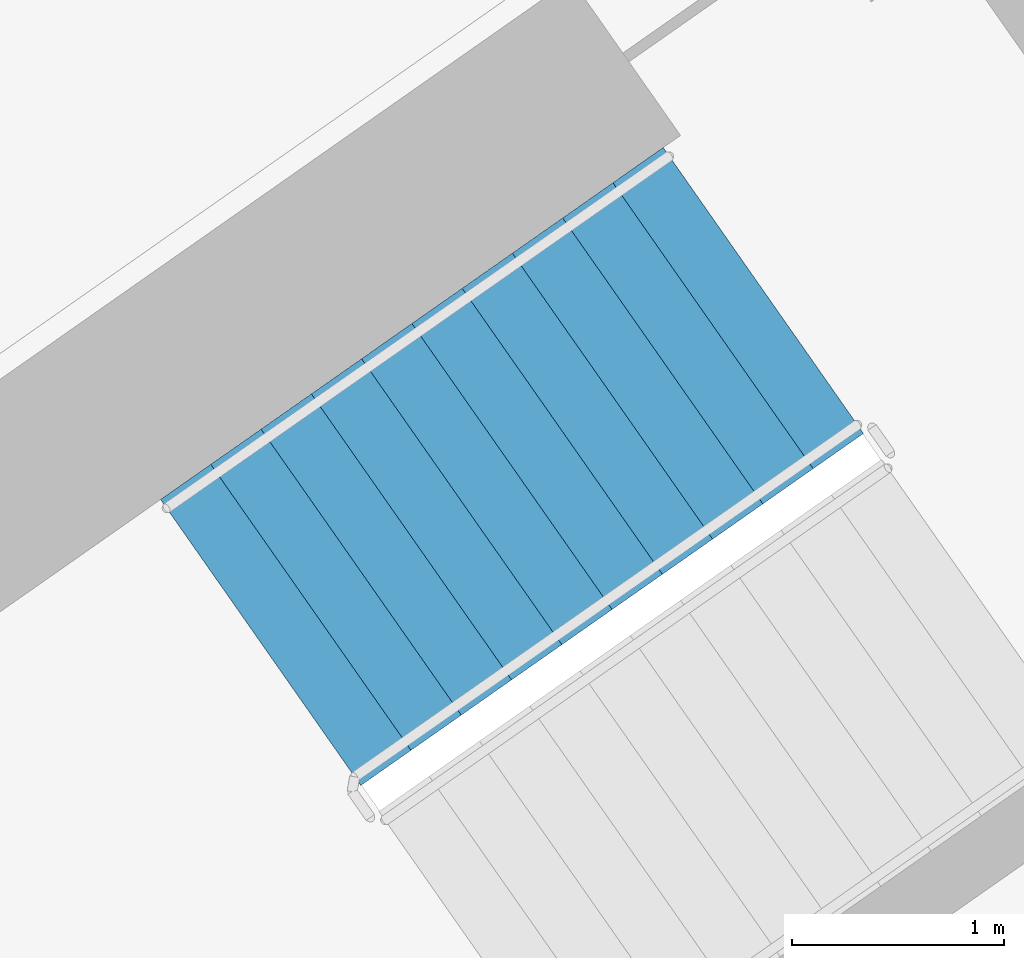
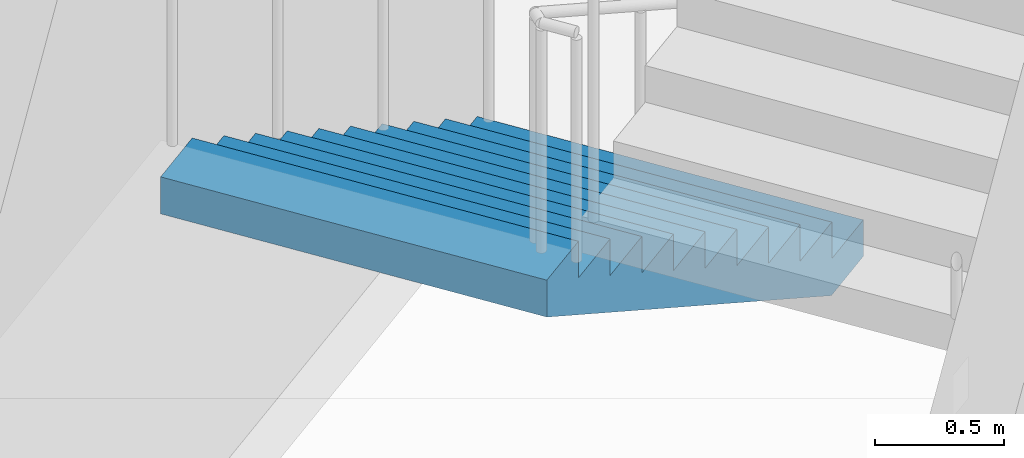
# One storey, part 15 of 29: 1 stair flight, 1 element without a shape of its own.
"""IFC4 building model written with IfcOpenShell, lengths in metres."""

import ifcopenshell
import ifcopenshell.guid

model = None  # the IFC model being written
_history = None  # IfcOwnerHistory: only IFC2X3 demands one
_inside = {}  # id of a spatial element -> (the spatial element, [elements in it])
_under = {}  # id of a project, library or spatial element -> (it, [spatial elements below it])
_declared = {}  # id of a project -> (the project, [libraries it declares])
_typed = {}  # id of a type object -> (the type object, [elements of that type])
_made_of = {}  # id of a material, layer set ... -> (it, [elements and type objects made of it])


def new_model(schema):
    """Start an empty IFC model of exactly this schema.

    Asked for "IFC4X3", IfcOpenShell would pick the latest addendum, in which some entities
    have other attributes; the version numbers below select the first issue.
    IFC2X3 requires an IfcOwnerHistory on every rooted entity: one is made here for all.
    """
    global model, _history
    if schema == "IFC4X3":
        model = ifcopenshell.file(schema_version=(4, 3, 0, 0))
    else:
        model = ifcopenshell.file(schema=schema)
    _inside.clear()
    _under.clear()
    _declared.clear()
    _typed.clear()
    _made_of.clear()
    _history = None
    if model.schema == "IFC2X3":
        org = make("IfcOrganization", Name="unknown")
        user = make(
            "IfcPersonAndOrganization",
            ThePerson=make("IfcPerson", FamilyName="unknown"),
            TheOrganization=org,
        )
        app = make(
            "IfcApplication",
            ApplicationDeveloper=org,
            Version="unknown",
            ApplicationFullName="unknown",
            ApplicationIdentifier="unknown",
        )
        _history = make(
            "IfcOwnerHistory",
            OwningUser=user,
            OwningApplication=app,
            ChangeAction="ADDED",
            CreationDate=0,
        )
    return model


def make(cls, **values):
    """One entity of the class cls with the attributes given. An attribute that is None is left unset."""
    return model.create_entity(
        cls, **{name: value for name, value in values.items() if value is not None}
    )


def rooted(cls, **values):
    """An entity with a GlobalId (a new one), such as an element, a storey or a relation."""
    return make(cls, GlobalId=ifcopenshell.guid.new(), OwnerHistory=_history, **values)


def si_unit(unit_type, name, prefix=None):
    """IfcSIUnit, for example si_unit("LENGTHUNIT", "METRE", prefix="MILLI")."""
    return make("IfcSIUnit", UnitType=unit_type, Prefix=prefix, Name=name)


def assignment(units):
    """IfcUnitAssignment: the units of a project."""
    return None if units is None else make("IfcUnitAssignment", Units=units)


def point(xyz):
    """IfcCartesianPoint."""
    return None if xyz is None else make("IfcCartesianPoint", Coordinates=xyz)


def direction(xyz):
    """IfcDirection."""
    return None if xyz is None else make("IfcDirection", DirectionRatios=xyz)


def frame(location, z_axis=None, x_axis=None):
    """IfcAxis2Placement3D, a coordinate frame: its origin and axes. An axis left out is left unset."""
    return make(
        "IfcAxis2Placement3D",
        Location=point(location),
        Axis=direction(z_axis),
        RefDirection=direction(x_axis),
    )


def origin():
    """The frame at (0, 0, 0) with its axes left unset."""
    return frame((0.0, 0.0, 0.0))


def place(relative_to, where):
    """IfcLocalPlacement: puts the frame where relative to a parent placement (None: the world)."""
    return make(
        "IfcLocalPlacement", PlacementRelTo=relative_to, RelativePlacement=where
    )


def context(
    kind, dimensions, precision=None, world=None, true_north=None, identifier=None
):
    """IfcGeometricRepresentationContext, for example the 3D "Model" context."""
    return make(
        "IfcGeometricRepresentationContext",
        ContextIdentifier=identifier,
        ContextType=kind,
        CoordinateSpaceDimension=dimensions,
        Precision=precision,
        WorldCoordinateSystem=world,
        TrueNorth=true_north,
    )


def subcontext(parent, identifier, kind, view, scale=None):
    """IfcGeometricRepresentationSubContext, for example "Body" below "Model"."""
    return make(
        "IfcGeometricRepresentationSubContext",
        ContextIdentifier=identifier,
        ContextType=kind,
        ParentContext=parent,
        TargetScale=scale,
        TargetView=view,
    )


def project(units=None, contexts=None):
    """IfcProject with its units and contexts."""
    return rooted(
        "IfcProject",
        Name="project",
        RepresentationContexts=contexts,
        UnitsInContext=assignment(units),
    )


def spatial(cls, under=None, at=None, **own):
    """A site, building, storey or space (cls), placed at a placement, below another one or the project."""
    s = rooted(cls, ObjectPlacement=at, **own)
    if under is not None:
        _under.setdefault(under.id(), (under, []))[1].append(s)
    return s


def faces_of(points, faces, orient=None, outer=None):
    """IfcFace entities. A face is a list of loops; a loop is a list of indices into points, from 0.

    orient and outer hold one flag for each loop. By default every Orientation is true, the
    first loop of a face is its IfcFaceOuterBound and the others are IfcFaceBound.
    """
    made = []
    for i, loops in enumerate(faces):
        bounds = []
        for j, loop in enumerate(loops):
            is_outer = j == 0 if outer is None else outer[i][j]
            bounds.append(
                make(
                    "IfcFaceOuterBound" if is_outer else "IfcFaceBound",
                    Bound=make("IfcPolyLoop", Polygon=[points[k] for k in loop]),
                    Orientation=True if orient is None else orient[i][j],
                )
            )
        made.append(make("IfcFace", Bounds=bounds))
    return made


def faceted_brep(points, faces, orient=None, outer=None, voids=None):
    """IfcFacetedBrep: a solid bounded by flat faces; with voids (closed shells), ...WithVoids."""
    shared = [point(p) for p in points]
    hull = make("IfcClosedShell", CfsFaces=faces_of(shared, faces, orient, outer))
    if voids is None:
        return make("IfcFacetedBrep", Outer=hull)
    return make(
        "IfcFacetedBrepWithVoids",
        Outer=hull,
        Voids=[
            make(cls, CfsFaces=faces_of(shared, fs, o, b)) for cls, fs, o, b in voids
        ],
    )


def shape(context_of_items, identifier, shape_type, items):
    """IfcShapeRepresentation: the items that make up one representation, for example the "Body"."""
    return make(
        "IfcShapeRepresentation",
        ContextOfItems=context_of_items,
        RepresentationIdentifier=identifier,
        RepresentationType=shape_type,
        Items=items,
    )


def material(Name=None, Category=None):
    """IfcMaterial."""
    return make("IfcMaterial", Name=Name, Category=Category)


def made_of(thing, what):
    """Note that an element or type object is made of a material, layer set ...; save() writes the relation."""
    if what is not None:
        _made_of.setdefault(what.id(), (what, []))[1].append(thing)
    return thing


def type_object(cls, material=None, **own):
    """A type object (cls), such as IfcWallType, which elements share."""
    return made_of(rooted(cls, **own), material)


def element(
    cls,
    number,
    at=None,
    inside=None,
    cuts=None,
    type_object=None,
    material=None,
    context=None,
    identifier="Body",
    shape_type=None,
    held_by="IfcProductDefinitionShape",
    body=None,
    shapes=None,
    **own,
):
    """One element of the class cls, such as IfcWall. Its Tag is "e" and its number.

    at: its placement. inside: the storey or other place that contains it. cuts: it is an
    opening in that element (IfcRelVoidsElement). A single representation is given by context,
    identifier, shape_type and body (its items); several are given by shapes. held_by: the class
    of the entity that holds the representations. save() writes the other relations.
    """
    e = rooted(cls, Tag="e%d" % number, ObjectPlacement=at, **own)
    if body is not None:
        shapes = [shape(context, identifier, shape_type, body)]
    if shapes is not None:
        e.Representation = make(held_by, Representations=shapes)
    if inside is not None:
        _inside.setdefault(inside.id(), (inside, []))[1].append(e)
    if cuts is not None:
        rooted(
            "IfcRelVoidsElement", RelatingBuildingElement=cuts, RelatedOpeningElement=e
        )
    if type_object is not None:
        _typed.setdefault(type_object.id(), (type_object, []))[1].append(e)
    return made_of(e, material)


def aggregate(whole, parts):
    """IfcRelAggregates: a whole, such as a stair, and the parts it consists of."""
    return rooted("IfcRelAggregates", RelatingObject=whole, RelatedObjects=parts)


def save(model, path):
    """Write the relations noted so far, then the file.

    IfcRelAggregates (storeys below a building ...), IfcRelContainedInSpatialStructure (elements
    in a storey), IfcRelDefinesByType, IfcRelAssociatesMaterial and IfcRelDeclares: one each for
    every whole, place, type object, material and project.
    """
    for whole, parts in _under.values():
        aggregate(whole, parts)
    for where, things in _inside.values():
        rooted(
            "IfcRelContainedInSpatialStructure",
            RelatedElements=things,
            RelatingStructure=where,
        )
    for kind, things in _typed.values():
        rooted("IfcRelDefinesByType", RelatedObjects=things, RelatingType=kind)
    for what, things in _made_of.values():
        rooted("IfcRelAssociatesMaterial", RelatedObjects=things, RelatingMaterial=what)
    for by, libraries in _declared.values():
        rooted("IfcRelDeclares", RelatingContext=by, RelatedDefinitions=libraries)
    model.write(path)


model = new_model("IFC4")

# Units and contexts
model_context = context("Model", 3, precision=1e-05, world=origin(), true_north=direction((0.0, 1.0)))
body_context = subcontext(model_context, "Body", "Model", "MODEL_VIEW")
ifc_project = project(units=[si_unit("LENGTHUNIT", "METRE"), si_unit("AREAUNIT", "SQUARE_METRE"), si_unit("VOLUMEUNIT", "CUBIC_METRE"), si_unit("PLANEANGLEUNIT", "RADIAN"), si_unit("MASSUNIT", "GRAM", prefix="KILO")], contexts=[model_context])

# Site, building, storey
site_placement = place(None, origin())
site = spatial("IfcSite", under=ifc_project, at=site_placement, CompositionType="ELEMENT")
building_placement = place(site_placement, origin())
building = spatial("IfcBuilding", under=site, at=building_placement, Name="Qamariyya Broadcast Tower", CompositionType="ELEMENT")
storey_placement = place(building_placement, frame((0.0, 0.0, 129.10009765625)))
storey = spatial("IfcBuildingStorey", under=building, at=storey_placement, Name="L29", CompositionType="ELEMENT", Elevation=129.10009765625)

# Stair, stair flight
ifc_material = material(Name="Concrete C50/60", Category="concrete")
stair_type = type_object("IfcStairType", Name="Exit stair 22 risers of 173 mm", PredefinedType="HALF_TURN_STAIR", material=ifc_material)
stair_placement = place(storey_placement, origin())
stair = element("IfcStair", 1, at=stair_placement, inside=storey, type_object=stair_type, Name="L29 Stair E2", PredefinedType="HALF_TURN_STAIR")
stair_flight_type = type_object("IfcStairFlightType", Name="Exit stair flight 11 risers of 173 mm", PredefinedType="STRAIGHT", material=ifc_material)
stair_flight_placement = place(storey_placement, frame((40.558837890625, -47.685302734375, 0.0), z_axis=(0.0, 0.0, 1.0), x_axis=(-0.819152044289, -0.573576436351, 0.0)))
stair_flight = element("IfcStairFlight", 2, at=stair_flight_placement, type_object=stair_flight_type, Name="ST-E2 flight 1", NumberOfRisers=11, NumberOfTreads=10, PredefinedType="STRAIGHT", RiserHeight=0.172727273, TreadLength=0.29, context=body_context, shape_type="Brep", body=[
    faceted_brep([(0.0, 0.824951171875, 0.0), (0.0, 0.824951171875, 0.172607421875), (0.2900390625, 0.824951171875, 0.172607421875), (0.2900390625, 0.824951171875, 0.345458984375), (0.580078125, 0.824951171875, 0.345458984375), (0.580078125, 0.824951171875, 0.51806640625), (0.8701171875, 0.824951171875, 0.51806640625), (0.8701171875, 0.824951171875, 0.69091796875), (1.159912109375, 0.824951171875, 0.69091796875), (1.159912109375, 0.824951171875, 0.863525390625), (1.449951171875, 0.824951171875, 0.863525390625), (1.449951171875, 0.824951171875, 1.036376953125), (1.739990234375, 0.824951171875, 1.036376953125), (1.739990234375, 0.824951171875, 1.208984375), (2.030029296875, 0.824951171875, 1.208984375), (2.030029296875, 0.824951171875, 1.3818359375), (2.320068359375, 0.824951171875, 1.3818359375), (2.320068359375, 0.824951171875, 1.554443359375), (2.610107421875, 0.824951171875, 1.554443359375), (2.610107421875, 0.824951171875, 1.727294921875), (2.89990234375, 0.824951171875, 1.727294921875), (2.89990234375, 0.824951171875, 1.552734375), (0.29296875, 0.824951171875, 0.0), (0.29296875, -0.824951171875, 0.0), (2.89990234375, -0.824951171875, 1.552734375), (2.89990234375, -0.824951171875, 1.727294921875), (2.610107421875, -0.824951171875, 1.727294921875), (2.610107421875, -0.824951171875, 1.554443359375), (2.320068359375, -0.824951171875, 1.554443359375), (2.320068359375, -0.824951171875, 1.3818359375), (2.030029296875, -0.824951171875, 1.3818359375), (2.030029296875, -0.824951171875, 1.208984375), (1.739990234375, -0.824951171875, 1.208984375), (1.739990234375, -0.824951171875, 1.036376953125), (1.449951171875, -0.824951171875, 1.036376953125), (1.449951171875, -0.824951171875, 0.863525390625), (1.159912109375, -0.824951171875, 0.863525390625), (1.159912109375, -0.824951171875, 0.69091796875), (0.8701171875, -0.824951171875, 0.69091796875), (0.8701171875, -0.824951171875, 0.51806640625), (0.580078125, -0.824951171875, 0.51806640625), (0.580078125, -0.824951171875, 0.345458984375), (0.2900390625, -0.824951171875, 0.345458984375), (0.2900390625, -0.824951171875, 0.172607421875), (0.0, -0.824951171875, 0.172607421875), (0.0, -0.824951171875, 0.0), (0.0, 0.10009765625, 0.0), (0.0, 0.086669921875, 0.0), (0.0, 0.0732421875, 0.0), (0.0, 0.06005859375, 0.0), (0.0, 0.046630859375, 0.0), (0.0, 0.033447265625, 0.0), (0.0, 0.02001953125, 0.0), (0.0, 0.006591796875, 0.0), (0.0, -0.006591796875, 0.0), (0.0, -0.02001953125, 0.0), (0.0, -0.033447265625, 0.0), (0.0, -0.046630859375, 0.0), (0.0, -0.06005859375, 0.0), (0.0, -0.0732421875, 0.0), (0.0, -0.086669921875, 0.0), (0.0, -0.10009765625, 0.0), (0.0, -0.10009765625, 0.172607421875), (0.0, -0.086669921875, 0.172607421875), (0.0, -0.0732421875, 0.172607421875), (0.0, -0.06005859375, 0.172607421875), (0.0, -0.046630859375, 0.172607421875), (0.0, -0.033447265625, 0.172607421875), (0.0, -0.02001953125, 0.172607421875), (0.0, -0.006591796875, 0.172607421875), (0.0, 0.006591796875, 0.172607421875), (0.0, 0.02001953125, 0.172607421875), (0.0, 0.033447265625, 0.172607421875), (0.0, 0.046630859375, 0.172607421875), (0.0, 0.06005859375, 0.172607421875), (0.0, 0.0732421875, 0.172607421875), (0.0, 0.086669921875, 0.172607421875), (0.0, 0.10009765625, 0.172607421875), (0.2900390625, -0.10009765625, 0.172607421875), (0.2900390625, -0.086669921875, 0.172607421875), (0.2900390625, -0.0732421875, 0.172607421875), (0.2900390625, -0.06005859375, 0.172607421875), (0.2900390625, -0.046630859375, 0.172607421875), (0.2900390625, -0.033447265625, 0.172607421875), (0.2900390625, -0.02001953125, 0.172607421875), (0.2900390625, -0.006591796875, 0.172607421875), (0.2900390625, 0.006591796875, 0.172607421875), (0.2900390625, 0.02001953125, 0.172607421875), (0.2900390625, 0.033447265625, 0.172607421875), (0.2900390625, 0.046630859375, 0.172607421875), (0.2900390625, 0.06005859375, 0.172607421875), (0.2900390625, 0.0732421875, 0.172607421875), (0.2900390625, 0.086669921875, 0.172607421875), (0.2900390625, 0.10009765625, 0.172607421875), (0.2900390625, -0.10009765625, 0.345458984375), (0.2900390625, -0.086669921875, 0.345458984375), (0.2900390625, -0.0732421875, 0.345458984375), (0.2900390625, -0.06005859375, 0.345458984375), (0.2900390625, -0.046630859375, 0.345458984375), (0.2900390625, -0.033447265625, 0.345458984375), (0.2900390625, -0.02001953125, 0.345458984375), (0.2900390625, -0.006591796875, 0.345458984375), (0.2900390625, 0.006591796875, 0.345458984375), (0.2900390625, 0.02001953125, 0.345458984375), (0.2900390625, 0.033447265625, 0.345458984375), (0.2900390625, 0.046630859375, 0.345458984375), (0.2900390625, 0.06005859375, 0.345458984375), (0.2900390625, 0.0732421875, 0.345458984375), (0.2900390625, 0.086669921875, 0.345458984375), (0.2900390625, 0.10009765625, 0.345458984375), (0.580078125, -0.10009765625, 0.345458984375), (0.580078125, -0.086669921875, 0.345458984375), (0.580078125, -0.0732421875, 0.345458984375), (0.580078125, -0.06005859375, 0.345458984375), (0.580078125, -0.046630859375, 0.345458984375), (0.580078125, -0.033447265625, 0.345458984375), (0.580078125, -0.02001953125, 0.345458984375), (0.580078125, -0.006591796875, 0.345458984375), (0.580078125, 0.006591796875, 0.345458984375), (0.580078125, 0.02001953125, 0.345458984375), (0.580078125, 0.033447265625, 0.345458984375), (0.580078125, 0.046630859375, 0.345458984375), (0.580078125, 0.06005859375, 0.345458984375), (0.580078125, 0.0732421875, 0.345458984375), (0.580078125, 0.086669921875, 0.345458984375), (0.580078125, 0.10009765625, 0.345458984375), (0.580078125, -0.10009765625, 0.51806640625), (0.580078125, -0.086669921875, 0.51806640625), (0.580078125, -0.0732421875, 0.51806640625), (0.580078125, -0.06005859375, 0.51806640625), (0.580078125, -0.046630859375, 0.51806640625), (0.580078125, -0.033447265625, 0.51806640625), (0.580078125, -0.02001953125, 0.51806640625), (0.580078125, -0.006591796875, 0.51806640625), (0.580078125, 0.006591796875, 0.51806640625), (0.580078125, 0.02001953125, 0.51806640625), (0.580078125, 0.033447265625, 0.51806640625), (0.580078125, 0.046630859375, 0.51806640625), (0.580078125, 0.06005859375, 0.51806640625), (0.580078125, 0.0732421875, 0.51806640625), (0.580078125, 0.086669921875, 0.51806640625), (0.580078125, 0.10009765625, 0.51806640625), (0.8701171875, -0.10009765625, 0.51806640625), (0.8701171875, -0.086669921875, 0.51806640625), (0.8701171875, -0.0732421875, 0.51806640625), (0.8701171875, -0.06005859375, 0.51806640625), (0.8701171875, -0.046630859375, 0.51806640625), (0.8701171875, -0.033447265625, 0.51806640625), (0.8701171875, -0.02001953125, 0.51806640625), (0.8701171875, -0.006591796875, 0.51806640625), (0.8701171875, 0.006591796875, 0.51806640625), (0.8701171875, 0.02001953125, 0.51806640625), (0.8701171875, 0.033447265625, 0.51806640625), (0.8701171875, 0.046630859375, 0.51806640625), (0.8701171875, 0.06005859375, 0.51806640625), (0.8701171875, 0.0732421875, 0.51806640625), (0.8701171875, 0.086669921875, 0.51806640625), (0.8701171875, 0.10009765625, 0.51806640625), (0.8701171875, -0.10009765625, 0.69091796875), (0.8701171875, -0.086669921875, 0.69091796875), (0.8701171875, -0.0732421875, 0.69091796875), (0.8701171875, -0.06005859375, 0.69091796875), (0.8701171875, -0.046630859375, 0.69091796875), (0.8701171875, -0.033447265625, 0.69091796875), (0.8701171875, -0.02001953125, 0.69091796875), (0.8701171875, -0.006591796875, 0.69091796875), (0.8701171875, 0.006591796875, 0.69091796875), (0.8701171875, 0.02001953125, 0.69091796875), (0.8701171875, 0.033447265625, 0.69091796875), (0.8701171875, 0.046630859375, 0.69091796875), (0.8701171875, 0.06005859375, 0.69091796875), (0.8701171875, 0.0732421875, 0.69091796875), (0.8701171875, 0.086669921875, 0.69091796875), (0.8701171875, 0.10009765625, 0.69091796875), (1.159912109375, -0.10009765625, 0.69091796875), (1.159912109375, -0.086669921875, 0.69091796875), (1.159912109375, -0.0732421875, 0.69091796875), (1.159912109375, -0.06005859375, 0.69091796875), (1.159912109375, -0.046630859375, 0.69091796875), (1.159912109375, -0.033447265625, 0.69091796875), (1.159912109375, -0.02001953125, 0.69091796875), (1.159912109375, -0.006591796875, 0.69091796875), (1.159912109375, 0.006591796875, 0.69091796875), (1.159912109375, 0.02001953125, 0.69091796875), (1.159912109375, 0.033447265625, 0.69091796875), (1.159912109375, 0.046630859375, 0.69091796875), (1.159912109375, 0.06005859375, 0.69091796875), (1.159912109375, 0.0732421875, 0.69091796875), (1.159912109375, 0.086669921875, 0.69091796875), (1.159912109375, 0.10009765625, 0.69091796875), (1.159912109375, -0.10009765625, 0.863525390625), (1.159912109375, -0.086669921875, 0.863525390625), (1.159912109375, -0.0732421875, 0.863525390625), (1.159912109375, -0.06005859375, 0.863525390625), (1.159912109375, -0.046630859375, 0.863525390625), (1.159912109375, -0.033447265625, 0.863525390625), (1.159912109375, -0.02001953125, 0.863525390625), (1.159912109375, -0.006591796875, 0.863525390625), (1.159912109375, 0.006591796875, 0.863525390625), (1.159912109375, 0.02001953125, 0.863525390625), (1.159912109375, 0.033447265625, 0.863525390625), (1.159912109375, 0.046630859375, 0.863525390625), (1.159912109375, 0.06005859375, 0.863525390625), (1.159912109375, 0.0732421875, 0.863525390625), (1.159912109375, 0.086669921875, 0.863525390625), (1.159912109375, 0.10009765625, 0.863525390625), (1.449951171875, -0.10009765625, 0.863525390625), (1.449951171875, -0.086669921875, 0.863525390625), (1.449951171875, -0.0732421875, 0.863525390625), (1.449951171875, -0.06005859375, 0.863525390625), (1.449951171875, -0.046630859375, 0.863525390625), (1.449951171875, -0.033447265625, 0.863525390625), (1.449951171875, -0.02001953125, 0.863525390625), (1.449951171875, -0.006591796875, 0.863525390625), (1.449951171875, 0.006591796875, 0.863525390625), (1.449951171875, 0.02001953125, 0.863525390625), (1.449951171875, 0.033447265625, 0.863525390625), (1.449951171875, 0.046630859375, 0.863525390625), (1.449951171875, 0.06005859375, 0.863525390625), (1.449951171875, 0.0732421875, 0.863525390625), (1.449951171875, 0.086669921875, 0.863525390625), (1.449951171875, 0.10009765625, 0.863525390625), (1.449951171875, -0.10009765625, 1.036376953125), (1.449951171875, -0.086669921875, 1.036376953125), (1.449951171875, -0.0732421875, 1.036376953125), (1.449951171875, -0.06005859375, 1.036376953125), (1.449951171875, -0.046630859375, 1.036376953125), (1.449951171875, -0.033447265625, 1.036376953125), (1.449951171875, -0.02001953125, 1.036376953125), (1.449951171875, -0.006591796875, 1.036376953125), (1.449951171875, 0.006591796875, 1.036376953125), (1.449951171875, 0.02001953125, 1.036376953125), (1.449951171875, 0.033447265625, 1.036376953125), (1.449951171875, 0.046630859375, 1.036376953125), (1.449951171875, 0.06005859375, 1.036376953125), (1.449951171875, 0.0732421875, 1.036376953125), (1.449951171875, 0.086669921875, 1.036376953125), (1.449951171875, 0.10009765625, 1.036376953125), (1.739990234375, -0.10009765625, 1.036376953125), (1.739990234375, -0.086669921875, 1.036376953125), (1.739990234375, -0.0732421875, 1.036376953125), (1.739990234375, -0.06005859375, 1.036376953125), (1.739990234375, -0.046630859375, 1.036376953125), (1.739990234375, -0.033447265625, 1.036376953125), (1.739990234375, -0.02001953125, 1.036376953125), (1.739990234375, -0.006591796875, 1.036376953125), (1.739990234375, 0.006591796875, 1.036376953125), (1.739990234375, 0.02001953125, 1.036376953125), (1.739990234375, 0.033447265625, 1.036376953125), (1.739990234375, 0.046630859375, 1.036376953125), (1.739990234375, 0.06005859375, 1.036376953125), (1.739990234375, 0.0732421875, 1.036376953125), (1.739990234375, 0.086669921875, 1.036376953125), (1.739990234375, 0.10009765625, 1.036376953125), (1.739990234375, -0.10009765625, 1.208984375), (1.739990234375, -0.086669921875, 1.208984375), (1.739990234375, -0.0732421875, 1.208984375), (1.739990234375, -0.06005859375, 1.208984375), (1.739990234375, -0.046630859375, 1.208984375), (1.739990234375, -0.033447265625, 1.208984375), (1.739990234375, -0.02001953125, 1.208984375), (1.739990234375, -0.006591796875, 1.208984375), (1.739990234375, 0.006591796875, 1.208984375), (1.739990234375, 0.02001953125, 1.208984375), (1.739990234375, 0.033447265625, 1.208984375), (1.739990234375, 0.046630859375, 1.208984375), (1.739990234375, 0.06005859375, 1.208984375), (1.739990234375, 0.0732421875, 1.208984375), (1.739990234375, 0.086669921875, 1.208984375), (1.739990234375, 0.10009765625, 1.208984375), (2.030029296875, -0.10009765625, 1.208984375), (2.030029296875, -0.086669921875, 1.208984375), (2.030029296875, -0.0732421875, 1.208984375), (2.030029296875, -0.06005859375, 1.208984375), (2.030029296875, -0.046630859375, 1.208984375), (2.030029296875, -0.033447265625, 1.208984375), (2.030029296875, -0.02001953125, 1.208984375), (2.030029296875, -0.006591796875, 1.208984375), (2.030029296875, 0.006591796875, 1.208984375), (2.030029296875, 0.02001953125, 1.208984375), (2.030029296875, 0.033447265625, 1.208984375), (2.030029296875, 0.046630859375, 1.208984375), (2.030029296875, 0.06005859375, 1.208984375), (2.030029296875, 0.0732421875, 1.208984375), (2.030029296875, 0.086669921875, 1.208984375), (2.030029296875, 0.10009765625, 1.208984375), (2.030029296875, -0.10009765625, 1.3818359375), (2.030029296875, -0.086669921875, 1.3818359375), (2.030029296875, -0.0732421875, 1.3818359375), (2.030029296875, -0.06005859375, 1.3818359375), (2.030029296875, -0.046630859375, 1.3818359375), (2.030029296875, -0.033447265625, 1.3818359375), (2.030029296875, -0.02001953125, 1.3818359375), (2.030029296875, -0.006591796875, 1.3818359375), (2.030029296875, 0.006591796875, 1.3818359375), (2.030029296875, 0.02001953125, 1.3818359375), (2.030029296875, 0.033447265625, 1.3818359375), (2.030029296875, 0.046630859375, 1.3818359375), (2.030029296875, 0.06005859375, 1.3818359375), (2.030029296875, 0.0732421875, 1.3818359375), (2.030029296875, 0.086669921875, 1.3818359375), (2.030029296875, 0.10009765625, 1.3818359375), (2.320068359375, -0.10009765625, 1.3818359375), (2.320068359375, -0.086669921875, 1.3818359375), (2.320068359375, -0.0732421875, 1.3818359375), (2.320068359375, -0.06005859375, 1.3818359375), (2.320068359375, -0.046630859375, 1.3818359375), (2.320068359375, -0.033447265625, 1.3818359375), (2.320068359375, -0.02001953125, 1.3818359375), (2.320068359375, -0.006591796875, 1.3818359375), (2.320068359375, 0.006591796875, 1.3818359375), (2.320068359375, 0.02001953125, 1.3818359375), (2.320068359375, 0.033447265625, 1.3818359375), (2.320068359375, 0.046630859375, 1.3818359375), (2.320068359375, 0.06005859375, 1.3818359375), (2.320068359375, 0.0732421875, 1.3818359375), (2.320068359375, 0.086669921875, 1.3818359375), (2.320068359375, 0.10009765625, 1.3818359375), (2.320068359375, -0.10009765625, 1.554443359375), (2.320068359375, -0.086669921875, 1.554443359375), (2.320068359375, -0.0732421875, 1.554443359375), (2.320068359375, -0.06005859375, 1.554443359375), (2.320068359375, -0.046630859375, 1.554443359375), (2.320068359375, -0.033447265625, 1.554443359375), (2.320068359375, -0.02001953125, 1.554443359375), (2.320068359375, -0.006591796875, 1.554443359375), (2.320068359375, 0.006591796875, 1.554443359375), (2.320068359375, 0.02001953125, 1.554443359375), (2.320068359375, 0.033447265625, 1.554443359375), (2.320068359375, 0.046630859375, 1.554443359375), (2.320068359375, 0.06005859375, 1.554443359375), (2.320068359375, 0.0732421875, 1.554443359375), (2.320068359375, 0.086669921875, 1.554443359375), (2.320068359375, 0.10009765625, 1.554443359375), (2.610107421875, -0.10009765625, 1.554443359375), (2.610107421875, -0.086669921875, 1.554443359375), (2.610107421875, -0.0732421875, 1.554443359375), (2.610107421875, -0.06005859375, 1.554443359375), (2.610107421875, -0.046630859375, 1.554443359375), (2.610107421875, -0.033447265625, 1.554443359375), (2.610107421875, -0.02001953125, 1.554443359375), (2.610107421875, -0.006591796875, 1.554443359375), (2.610107421875, 0.006591796875, 1.554443359375), (2.610107421875, 0.02001953125, 1.554443359375), (2.610107421875, 0.033447265625, 1.554443359375), (2.610107421875, 0.046630859375, 1.554443359375), (2.610107421875, 0.06005859375, 1.554443359375), (2.610107421875, 0.0732421875, 1.554443359375), (2.610107421875, 0.086669921875, 1.554443359375), (2.610107421875, 0.10009765625, 1.554443359375), (2.610107421875, -0.10009765625, 1.727294921875), (2.610107421875, -0.086669921875, 1.727294921875), (2.610107421875, -0.0732421875, 1.727294921875), (2.610107421875, -0.06005859375, 1.727294921875), (2.610107421875, -0.046630859375, 1.727294921875), (2.610107421875, -0.033447265625, 1.727294921875), (2.610107421875, -0.02001953125, 1.727294921875), (2.610107421875, -0.006591796875, 1.727294921875), (2.610107421875, 0.006591796875, 1.727294921875), (2.610107421875, 0.02001953125, 1.727294921875), (2.610107421875, 0.033447265625, 1.727294921875), (2.610107421875, 0.046630859375, 1.727294921875), (2.610107421875, 0.06005859375, 1.727294921875), (2.610107421875, 0.0732421875, 1.727294921875), (2.610107421875, 0.086669921875, 1.727294921875), (2.610107421875, 0.10009765625, 1.727294921875), (2.89990234375, -0.10009765625, 1.727294921875), (2.89990234375, -0.086669921875, 1.727294921875), (2.89990234375, -0.0732421875, 1.727294921875), (2.89990234375, -0.06005859375, 1.727294921875), (2.89990234375, -0.046630859375, 1.727294921875), (2.89990234375, -0.033447265625, 1.727294921875), (2.89990234375, -0.02001953125, 1.727294921875), (2.89990234375, -0.006591796875, 1.727294921875), (2.89990234375, 0.006591796875, 1.727294921875), (2.89990234375, 0.02001953125, 1.727294921875), (2.89990234375, 0.033447265625, 1.727294921875), (2.89990234375, 0.046630859375, 1.727294921875), (2.89990234375, 0.06005859375, 1.727294921875), (2.89990234375, 0.0732421875, 1.727294921875), (2.89990234375, 0.086669921875, 1.727294921875), (2.89990234375, 0.10009765625, 1.727294921875), (2.89990234375, -0.10009765625, 1.552734375), (2.89990234375, -0.086669921875, 1.552734375), (2.89990234375, -0.0732421875, 1.552734375), (2.89990234375, -0.06005859375, 1.552734375), (2.89990234375, -0.046630859375, 1.552734375), (2.89990234375, -0.033447265625, 1.552734375), (2.89990234375, -0.02001953125, 1.552734375), (2.89990234375, -0.006591796875, 1.552734375), (2.89990234375, 0.006591796875, 1.552734375), (2.89990234375, 0.02001953125, 1.552734375), (2.89990234375, 0.033447265625, 1.552734375), (2.89990234375, 0.046630859375, 1.552734375), (2.89990234375, 0.06005859375, 1.552734375), (2.89990234375, 0.0732421875, 1.552734375), (2.89990234375, 0.086669921875, 1.552734375), (2.89990234375, 0.10009765625, 1.552734375), (0.29296875, -0.10009765625, 0.0), (0.29296875, -0.086669921875, 0.0), (0.29296875, -0.0732421875, 0.0), (0.29296875, -0.06005859375, 0.0), (0.29296875, -0.046630859375, 0.0), (0.29296875, -0.033447265625, 0.0), (0.29296875, -0.02001953125, 0.0), (0.29296875, -0.006591796875, 0.0), (0.29296875, 0.006591796875, 0.0), (0.29296875, 0.02001953125, 0.0), (0.29296875, 0.033447265625, 0.0), (0.29296875, 0.046630859375, 0.0), (0.29296875, 0.06005859375, 0.0), (0.29296875, 0.0732421875, 0.0), (0.29296875, 0.086669921875, 0.0), (0.29296875, 0.10009765625, 0.0)], [[[0, 1, 2, 3, 4, 5, 6, 7, 8, 9, 10, 11, 12, 13, 14, 15, 16, 17, 18, 19, 20, 21, 22]], [[23, 24, 25, 26, 27, 28, 29, 30, 31, 32, 33, 34, 35, 36, 37, 38, 39, 40, 41, 42, 43, 44, 45]], [[0, 46, 47, 48, 49, 50, 51, 52, 53, 54, 55, 56, 57, 58, 59, 60, 61, 45, 44, 62, 63, 64, 65, 66, 67, 68, 69, 70, 71, 72, 73, 74, 75, 76, 77, 1]], [[1, 77, 76, 75, 74, 73, 72, 71, 70, 69, 68, 67, 66, 65, 64, 63, 62, 44, 43, 78, 79, 80, 81, 82, 83, 84, 85, 86, 87, 88, 89, 90, 91, 92, 93, 2]], [[2, 93, 92, 91, 90, 89, 88, 87, 86, 85, 84, 83, 82, 81, 80, 79, 78, 43, 42, 94, 95, 96, 97, 98, 99, 100, 101, 102, 103, 104, 105, 106, 107, 108, 109, 3]], [[3, 109, 108, 107, 106, 105, 104, 103, 102, 101, 100, 99, 98, 97, 96, 95, 94, 42, 41, 110, 111, 112, 113, 114, 115, 116, 117, 118, 119, 120, 121, 122, 123, 124, 125, 4]], [[4, 125, 124, 123, 122, 121, 120, 119, 118, 117, 116, 115, 114, 113, 112, 111, 110, 41, 40, 126, 127, 128, 129, 130, 131, 132, 133, 134, 135, 136, 137, 138, 139, 140, 141, 5]], [[5, 141, 140, 139, 138, 137, 136, 135, 134, 133, 132, 131, 130, 129, 128, 127, 126, 40, 39, 142, 143, 144, 145, 146, 147, 148, 149, 150, 151, 152, 153, 154, 155, 156, 157, 6]], [[6, 157, 156, 155, 154, 153, 152, 151, 150, 149, 148, 147, 146, 145, 144, 143, 142, 39, 38, 158, 159, 160, 161, 162, 163, 164, 165, 166, 167, 168, 169, 170, 171, 172, 173, 7]], [[7, 173, 172, 171, 170, 169, 168, 167, 166, 165, 164, 163, 162, 161, 160, 159, 158, 38, 37, 174, 175, 176, 177, 178, 179, 180, 181, 182, 183, 184, 185, 186, 187, 188, 189, 8]], [[8, 189, 188, 187, 186, 185, 184, 183, 182, 181, 180, 179, 178, 177, 176, 175, 174, 37, 36, 190, 191, 192, 193, 194, 195, 196, 197, 198, 199, 200, 201, 202, 203, 204, 205, 9]], [[9, 205, 204, 203, 202, 201, 200, 199, 198, 197, 196, 195, 194, 193, 192, 191, 190, 36, 35, 206, 207, 208, 209, 210, 211, 212, 213, 214, 215, 216, 217, 218, 219, 220, 221, 10]], [[10, 221, 220, 219, 218, 217, 216, 215, 214, 213, 212, 211, 210, 209, 208, 207, 206, 35, 34, 222, 223, 224, 225, 226, 227, 228, 229, 230, 231, 232, 233, 234, 235, 236, 237, 11]], [[11, 237, 236, 235, 234, 233, 232, 231, 230, 229, 228, 227, 226, 225, 224, 223, 222, 34, 33, 238, 239, 240, 241, 242, 243, 244, 245, 246, 247, 248, 249, 250, 251, 252, 253, 12]], [[12, 253, 252, 251, 250, 249, 248, 247, 246, 245, 244, 243, 242, 241, 240, 239, 238, 33, 32, 254, 255, 256, 257, 258, 259, 260, 261, 262, 263, 264, 265, 266, 267, 268, 269, 13]], [[13, 269, 268, 267, 266, 265, 264, 263, 262, 261, 260, 259, 258, 257, 256, 255, 254, 32, 31, 270, 271, 272, 273, 274, 275, 276, 277, 278, 279, 280, 281, 282, 283, 284, 285, 14]], [[14, 285, 284, 283, 282, 281, 280, 279, 278, 277, 276, 275, 274, 273, 272, 271, 270, 31, 30, 286, 287, 288, 289, 290, 291, 292, 293, 294, 295, 296, 297, 298, 299, 300, 301, 15]], [[15, 301, 300, 299, 298, 297, 296, 295, 294, 293, 292, 291, 290, 289, 288, 287, 286, 30, 29, 302, 303, 304, 305, 306, 307, 308, 309, 310, 311, 312, 313, 314, 315, 316, 317, 16]], [[16, 317, 316, 315, 314, 313, 312, 311, 310, 309, 308, 307, 306, 305, 304, 303, 302, 29, 28, 318, 319, 320, 321, 322, 323, 324, 325, 326, 327, 328, 329, 330, 331, 332, 333, 17]], [[17, 333, 332, 331, 330, 329, 328, 327, 326, 325, 324, 323, 322, 321, 320, 319, 318, 28, 27, 334, 335, 336, 337, 338, 339, 340, 341, 342, 343, 344, 345, 346, 347, 348, 349, 18]], [[18, 349, 348, 347, 346, 345, 344, 343, 342, 341, 340, 339, 338, 337, 336, 335, 334, 27, 26, 350, 351, 352, 353, 354, 355, 356, 357, 358, 359, 360, 361, 362, 363, 364, 365, 19]], [[19, 365, 364, 363, 362, 361, 360, 359, 358, 357, 356, 355, 354, 353, 352, 351, 350, 26, 25, 366, 367, 368, 369, 370, 371, 372, 373, 374, 375, 376, 377, 378, 379, 380, 381, 20]], [[20, 381, 380, 379, 378, 377, 376, 375, 374, 373, 372, 371, 370, 369, 368, 367, 366, 25, 24, 382, 383, 384, 385, 386, 387, 388, 389, 390, 391, 392, 393, 394, 395, 396, 397, 21]], [[21, 397, 396, 395, 394, 393, 392, 391, 390, 389, 388, 387, 386, 385, 384, 383, 382, 24, 23, 398, 399, 400, 401, 402, 403, 404, 405, 406, 407, 408, 409, 410, 411, 412, 413, 22]], [[22, 413, 412, 411, 410, 409, 408, 407, 406, 405, 404, 403, 402, 401, 400, 399, 398, 23, 45, 61, 60, 59, 58, 57, 56, 55, 54, 53, 52, 51, 50, 49, 48, 47, 46, 0]]]),
])
aggregate(stair, [stair_flight])

save(model, "model.ifc")
